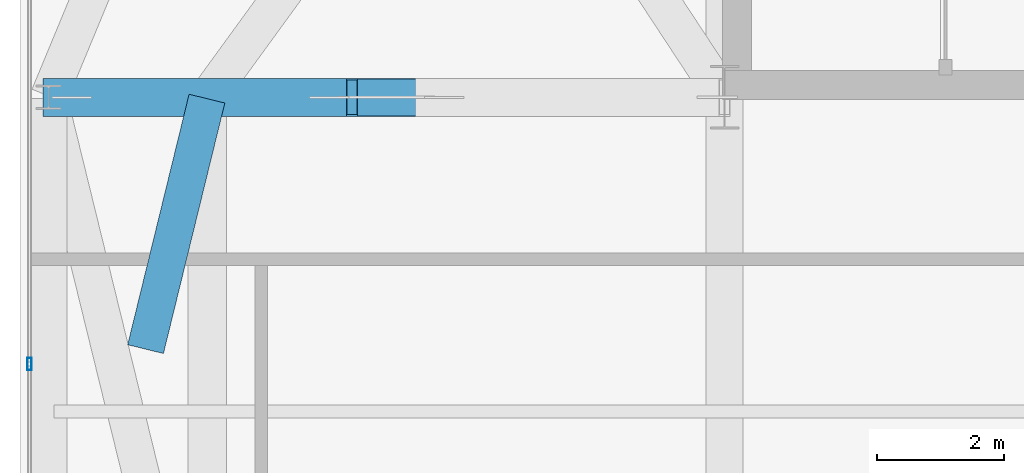
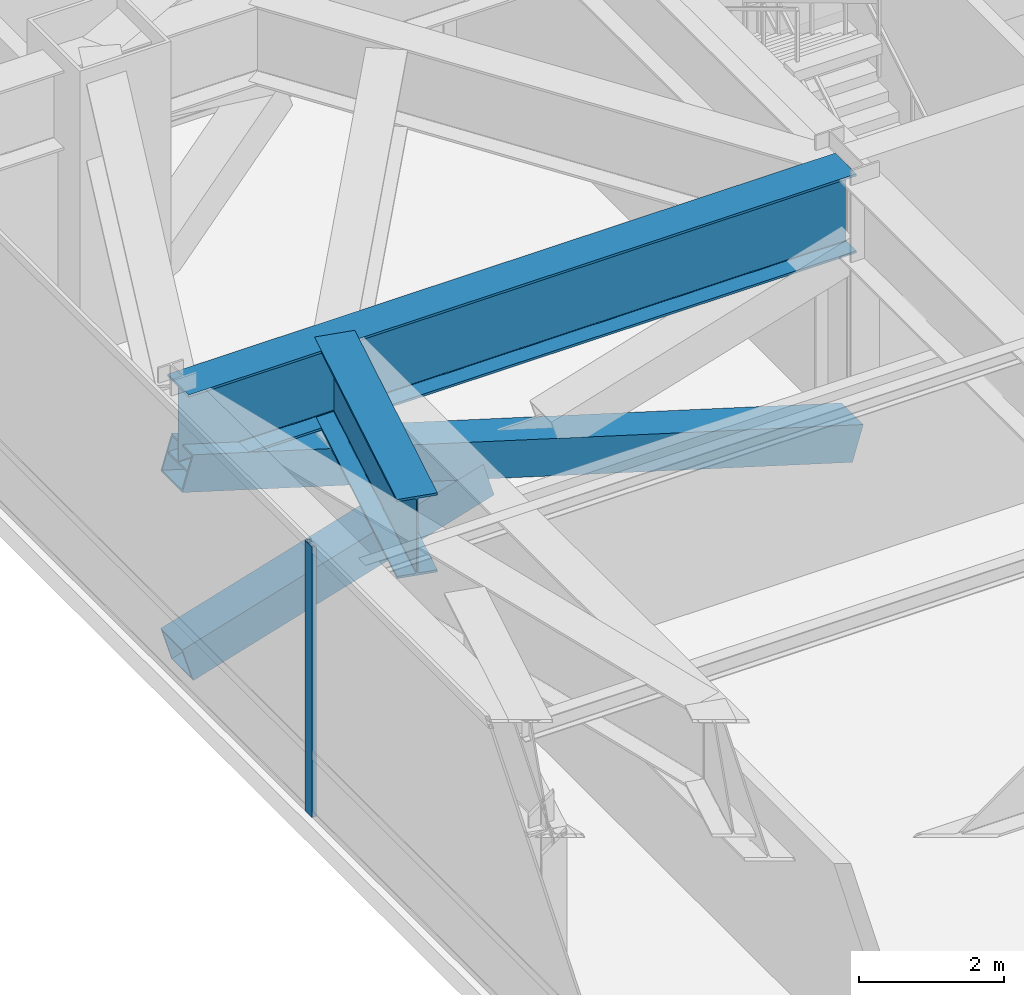
# One storey, part 10 of 32: 3 members, 2 beams, 1 element without a shape of its own.
"""IFC4 building model written with IfcOpenShell, lengths in metres."""

from ifc_helpers import new_model, si_unit, direction, frame, origin, origin_2d, place, context, subcontext, project, spatial, hollow_rectangle, i_section, extrude, source, transform, mapped, material, layer, layer_set, material_profile, profile_set, type_object, type_shapes, element, aggregate, save


model = new_model("IFC4")

# Units and contexts
model_context = context("Model", 3, precision=1e-05, world=origin(), true_north=direction((0.0, 1.0)))
body_context = subcontext(model_context, "Body", "Model", "MODEL_VIEW")
ifc_project = project(units=[si_unit("LENGTHUNIT", "METRE"), si_unit("AREAUNIT", "SQUARE_METRE"), si_unit("VOLUMEUNIT", "CUBIC_METRE"), si_unit("PLANEANGLEUNIT", "RADIAN"), si_unit("MASSUNIT", "GRAM", prefix="KILO")], contexts=[model_context])

# Site, building, storey
site_placement = place(None, origin())
site = spatial("IfcSite", under=ifc_project, at=site_placement, CompositionType="ELEMENT")
building_placement = place(site_placement, origin())
building = spatial("IfcBuilding", under=site, at=building_placement, Name="Varnel Quay Broadcast Tower", CompositionType="ELEMENT")
storey_placement = place(building_placement, frame((0.0, 0.0, 141.0)))
storey = spatial("IfcBuildingStorey", under=building, at=storey_placement, Name="L34", CompositionType="ELEMENT", Elevation=141.0)

# Beams
ifc_material_1 = material(Name="Structural Steel CSA G40.21 350WT", Category="steel")
ifc_material_profile_1 = material_profile(ifc_material_1, i_section(OverallWidth=0.580078125, OverallDepth=1.330078125, WebThickness=0.02197265625, FlangeThickness=0.0380859375, FilletRadius=0.02001953125, at=origin_2d()), Name="WWF1330X535")
ifc_profile_set_1 = profile_set([ifc_material_profile_1], Name="Structural Steel CSA G40.21 350WT")
beam_type = type_object("IfcBeamType", Name="Girder_WWF1330X535", PredefinedType="BEAM", material=ifc_profile_set_1)
shared_shape_1 = source(origin(), body_context, "Body", "SweptSolid", [
    extrude(i_section(OverallWidth=0.580078125, OverallDepth=1.330078125, WebThickness=0.02197265625, FlangeThickness=0.0380859375, FilletRadius=0.02001953125, at=origin_2d()), origin(), (0.0, 0.0, 1.0), 4.06298828125),
])
beam_1_placement = place(storey_placement, frame((6.47802734375, 31.63427734375, 3.885009765625), z_axis=(0.238065394909, 0.97124912754, 0.0), x_axis=(-0.97124912754, 0.238065394909, 0.0)))
element("IfcBeam", 1, at=beam_1_placement, inside=storey, type_object=beam_type, Name="L34 X-Braced Transfer Tie TC-W3-TC-W2 Part 2", PredefinedType="BEAM", context=body_context, shape_type="MappedRepresentation", body=[
    mapped(shared_shape_1, transform((0.0, 0.0, 0.0), x_axis=(1.0, 0.0, 0.0), y_axis=(0.0, 1.0, 0.0), z_axis=(0.0, 0.0, 1.0), scale=1.0)),
])
shared_shape_2 = source(origin(), body_context, "Body", "SweptSolid", [
    extrude(i_section(OverallWidth=0.580078125, OverallDepth=1.330078125, WebThickness=0.02197265625, FlangeThickness=0.0380859375, FilletRadius=0.02001953125, at=origin_2d()), origin(), (0.0, 0.0, 1.0), 10.610107421875),
])
type_shapes(beam_type, [shared_shape_1, shared_shape_2])
beam_2_placement = place(storey_placement, frame((4.969970703125, 35.60009765625, 3.885009765625), z_axis=(1.0, 0.0, 0.0), x_axis=(0.0, 1.0, 0.0)))
element("IfcBeam", 2, at=beam_2_placement, inside=storey, type_object=beam_type, Name="L34 West Core Tie Transfer", PredefinedType="BEAM", context=body_context, shape_type="MappedRepresentation", body=[
    mapped(shared_shape_2, transform((0.0, 0.0, 0.0), x_axis=(1.0, 0.0, 0.0), y_axis=(0.0, 1.0, 0.0), z_axis=(0.0, 0.0, 1.0), scale=1.0)),
])

# Members
ifc_material_profile_2 = material_profile(ifc_material_1, hollow_rectangle(XDim=0.60009765625, YDim=0.60009765625, WallThickness=0.028076171875, at=origin_2d()), Name="BOX600X600X28")
ifc_profile_set_2 = profile_set([ifc_material_profile_2], Name="Structural Steel CSA G40.21 350WT")
member_type_1 = type_object("IfcMemberType", Name="Outrigger_BOX600X600X28", PredefinedType="BRACE", material=ifc_profile_set_2)
shared_shape_3 = source(origin(), body_context, "Body", "SweptSolid", [
    extrude(hollow_rectangle(XDim=0.60009765625, YDim=0.60009765625, WallThickness=0.028076171875, at=origin_2d()), origin(), (0.0, 0.0, 1.0), 11.126220703125),
])
member_1_placement = place(storey_placement, frame((15.60009765625, 35.60009765625, 0.02001953125), z_axis=(-0.957207469255, 0.0, 0.289402592944), x_axis=(0.0, -1.0, 0.0)))
element("IfcMember", 3, at=member_1_placement, inside=storey, type_object=member_type_1, Name="L34 Outrigger W Continuous Diag A", PredefinedType="BRACE", context=body_context, shape_type="MappedRepresentation", body=[
    mapped(shared_shape_3, transform((0.0, 0.0, 0.0), x_axis=(1.0, 0.0, 0.0), y_axis=(0.0, 1.0, 0.0), z_axis=(0.0, 0.0, 1.0), scale=1.0)),
])
shared_shape_4 = source(origin(), body_context, "Body", "SweptSolid", [
    extrude(hollow_rectangle(XDim=0.60009765625, YDim=0.60009765625, WallThickness=0.028076171875, at=origin_2d()), origin(), (0.0, 0.0, 1.0), 4.99658203125),
])
type_shapes(member_type_1, [shared_shape_3, shared_shape_4])
member_2_placement = place(storey_placement, frame((4.949951171875, 35.60009765625, 0.02001953125), z_axis=(0.95720544647, 0.0, 0.289409283279), x_axis=(0.0, 1.0, 0.0)))
element("IfcMember", 4, at=member_2_placement, inside=storey, type_object=member_type_1, Name="L34 Outrigger W Split Diag B1", PredefinedType="BRACE", context=body_context, shape_type="MappedRepresentation", body=[
    mapped(shared_shape_4, transform((0.0, 0.0, 0.0), x_axis=(1.0, 0.0, 0.0), y_axis=(0.0, 1.0, 0.0), z_axis=(0.0, 0.0, 1.0), scale=1.0)),
])

# Curtain wall, member
ifc_material_2 = material(Name="Anodised Bronze Aluminium 6063-T6", Category="aluminium")
ifc_layer = layer(ifc_material_2, 0.18994140625, Name="Anodised Bronze Aluminium 6063-T6")
ifc_layer_set = layer_set([ifc_layer], Name="Anodised Bronze Aluminium 6063-T6")
curtain_wall_type = type_object("IfcCurtainWallType", Name="CW_LowerTower", PredefinedType="NOTDEFINED", material=ifc_layer_set)
curtain_wall_placement = place(storey_placement, origin())
curtain_wall = element("IfcCurtainWall", 5, at=curtain_wall_placement, inside=storey, type_object=curtain_wall_type, Name="L34 West Unitised Curtain Wall", PredefinedType="NOTDEFINED")
ifc_material_profile_3 = material_profile(ifc_material_2, hollow_rectangle(XDim=0.070068359375, YDim=0.18994140625, WallThickness=0.00390625, at=origin_2d()), Name="ALU70X190X4")
ifc_profile_set_3 = profile_set([ifc_material_profile_3], Name="Anodised Bronze Aluminium 6063-T6")
member_type_2 = type_object("IfcMemberType", Name="Mull_CWS-02", PredefinedType="MULLION", material=ifc_profile_set_3)
shared_shape_5 = source(origin(), body_context, "Body", "SweptSolid", [
    extrude(hollow_rectangle(XDim=0.070068359375, YDim=0.18994140625, WallThickness=0.00390625, at=origin_2d()), origin(), (0.0, 0.0, 1.0), 4.550048828125),
])
type_shapes(member_type_2, [shared_shape_5])
member_3_placement = place(storey_placement, frame((4.64990234375, 31.39990234375, 0.0), z_axis=(0.0, 0.0, 1.0), x_axis=(-1.0, 0.0, 0.0)))
member_3 = element("IfcMember", 6, at=member_3_placement, type_object=member_type_2, Name="CWS-02 mullion 3", PredefinedType="MULLION", context=body_context, shape_type="MappedRepresentation", body=[
    mapped(shared_shape_5, transform((0.0, 0.0, 0.0), x_axis=(1.0, 0.0, 0.0), y_axis=(0.0, 1.0, 0.0), z_axis=(0.0, 0.0, 1.0), scale=1.0)),
])
aggregate(curtain_wall, [member_3])

save(model, "model.ifc")
